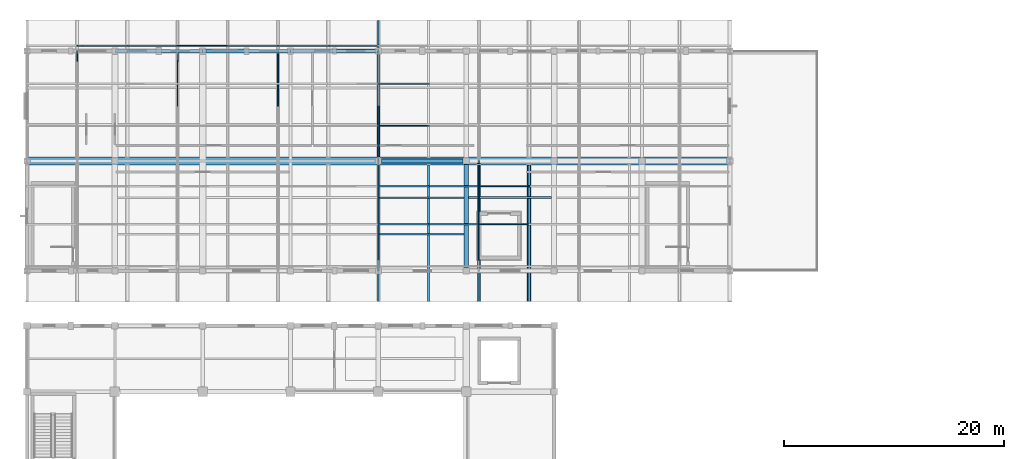
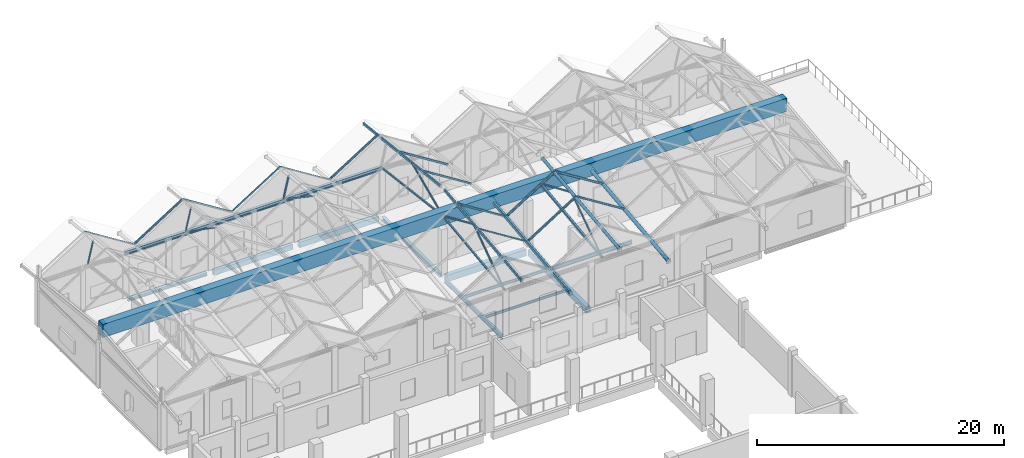
# One storey, part 65 of 183: 27 members, 19 beams.
"""IFC4 building model written with IfcOpenShell, lengths in metres."""

from ifc_helpers import new_model, si_unit, direction, frame, origin, origin_2d, place, context, subcontext, project, spatial, rectangle, hollow_rectangle, hollow_circle, i_section, extrude, material, material_profile, profile_set, type_object, element, save


model = new_model("IFC4")

# Units and contexts
model_context = context("Model", 3, precision=1e-05, world=origin(), true_north=direction((0.0, 1.0)))
body_context = subcontext(model_context, "Body", "Model", "MODEL_VIEW")
ifc_project = project(units=[si_unit("LENGTHUNIT", "METRE"), si_unit("AREAUNIT", "SQUARE_METRE"), si_unit("VOLUMEUNIT", "CUBIC_METRE"), si_unit("PLANEANGLEUNIT", "RADIAN"), si_unit("MASSUNIT", "GRAM", prefix="KILO")], contexts=[model_context])

# Site, building, storey
site_placement = place(None, origin())
site = spatial("IfcSite", under=ifc_project, at=site_placement, CompositionType="ELEMENT")
building_placement = place(site_placement, origin())
building = spatial("IfcBuilding", under=site, at=building_placement, Name="Luwemba Playhouse", CompositionType="ELEMENT")
storey_placement = place(building_placement, frame((0.0, 0.0, 4.800048828125)))
storey = spatial("IfcBuildingStorey", under=building, at=storey_placement, Name="L01", CompositionType="ELEMENT", Elevation=4.800048828125)

# Beams
ifc_material_1 = material(Name="Concrete C40/50", Category="concrete")
ifc_material_profile_1 = material_profile(ifc_material_1, rectangle(XDim=0.39990234375, YDim=0.60009765625, at=origin_2d()))
ifc_profile_set_1 = profile_set([ifc_material_profile_1], Name="Concrete C40/50")
beam_type_1 = type_object("IfcBeamType", Name="BM-RB01", PredefinedType="BEAM", material=ifc_profile_set_1)
beam_1_placement = place(storey_placement, frame((44.0, 95.300048828125, -0.550048828125), z_axis=(0.0, 1.0, 0.0), x_axis=(-1.0, 0.0, 0.0)))
element("IfcBeam", 1, at=beam_1_placement, inside=storey, type_object=beam_type_1, Name="L01 transverse girder 0594", PredefinedType="BEAM", context=body_context, shape_type="SweptSolid", body=[
    extrude(rectangle(XDim=0.39990234375, YDim=0.60009765625, at=origin_2d()), origin(), (0.0, 0.0, 1.0), 9.39990234375),
])
ifc_material_profile_2 = material_profile(ifc_material_1, rectangle(XDim=0.39990234375, YDim=0.64990234375, at=origin_2d()))
ifc_profile_set_2 = profile_set([ifc_material_profile_2], Name="Concrete C40/50")
beam_type_2 = type_object("IfcBeamType", Name="BM-RB02", PredefinedType="BEAM", material=ifc_profile_set_2)
beam_2_placement = place(storey_placement, frame((36.300048828125, 105.0, -0.574951171875), z_axis=(1.0, 0.0, 0.0), x_axis=(0.0, 1.0, 0.0)))
element("IfcBeam", 2, at=beam_2_placement, inside=storey, type_object=beam_type_2, Name="L01 grid girder 0574", PredefinedType="BEAM", context=body_context, shape_type="SweptSolid", body=[
    extrude(rectangle(XDim=0.39990234375, YDim=0.64990234375, at=origin_2d()), origin(), (0.0, 0.0, 1.0), 7.39990234375),
])
ifc_material_profile_3 = material_profile(ifc_material_1, rectangle(XDim=0.699951171875, YDim=1.300048828125, at=origin_2d()))
ifc_profile_set_3 = profile_set([ifc_material_profile_3], Name="Concrete C40/50")
beam_type_3 = type_object("IfcBeamType", Name="BM-RB12", PredefinedType="BEAM", material=ifc_profile_set_3)
beam_3_placement = place(storey_placement, frame((4.0, 105.0, 5.6416015625), z_axis=(1.0, 0.0, 0.0), x_axis=(0.0, 1.0, 0.0)))
element("IfcBeam", 3, at=beam_3_placement, inside=storey, type_object=beam_type_3, Name="RF-V6W central ridge spine girder 0364", PredefinedType="BEAM", context=body_context, shape_type="SweptSolid", body=[
    extrude(rectangle(XDim=0.699951171875, YDim=1.300048828125, at=origin_2d()), origin(), (0.0, 0.0, 1.0), 64.0),
])
ifc_material_2 = material(Name="Steel S355", Category="steel")
ifc_material_profile_4 = material_profile(ifc_material_2, hollow_rectangle(XDim=0.14990234375, YDim=0.25, WallThickness=0.010009765625, InnerFilletRadius=0.014892578125, OuterFilletRadius=0.02490234375, at=origin_2d()))
ifc_profile_set_4 = profile_set([ifc_material_profile_4], Name="Steel S355")
beam_type_4 = type_object("IfcBeamType", Name="BM-RTG1", PredefinedType="USERDEFINED", material=ifc_profile_set_4)
for number, where, z_axis, x_axis, name in (
    (4, (36.0, 92.199951171875, 6.983154296875), (0.0, 0.993767931543, 0.111468821814), (-1.0, 0.0, 0.0), "ROOF TRUSS ridge girder 0379"),
    (5, (36.0, 105.35009765625, 8.379638671875), (0.0, 0.993767931543, -0.111468821814), (-1.0, 0.0, 0.0), "ROOF TRUSS ridge girder 0380"),
):
    element("IfcBeam", number, at=place(storey_placement, frame(where, z_axis=z_axis, x_axis=x_axis)), inside=storey, type_object=beam_type_4, Name=name, ObjectType="ROOF TRUSS", PredefinedType="USERDEFINED", context=body_context, shape_type="SweptSolid", body=[
        extrude(hollow_rectangle(XDim=0.14990234375, YDim=0.25, WallThickness=0.010009765625, InnerFilletRadius=0.014892578125, OuterFilletRadius=0.02490234375, at=origin_2d()), origin(), (0.0, 0.0, 1.0), 12.528076171875),
    ])
ifc_material_profile_5 = material_profile(ifc_material_2, hollow_rectangle(XDim=0.199951171875, YDim=0.300048828125, WallThickness=0.012451171875, InnerFilletRadius=0.018798828125, OuterFilletRadius=0.03125, at=origin_2d()))
ifc_profile_set_5 = profile_set([ifc_material_profile_5], Name="Steel S355")
beam_type_5 = type_object("IfcBeamType", Name="BM-RTG2", PredefinedType="USERDEFINED", material=ifc_profile_set_5)
beam_4_placement = place(storey_placement, frame((40.5712890625, 92.199951171875, 4.162109375), z_axis=(0.0, 0.993767931543, 0.111468821814), x_axis=(-1.0, 0.0, 0.0)))
element("IfcBeam", 6, at=beam_4_placement, inside=storey, type_object=beam_type_5, Name="ROOF TRUSS valley girder 0381", ObjectType="ROOF TRUSS", PredefinedType="USERDEFINED", context=body_context, shape_type="SweptSolid", body=[
    extrude(hollow_rectangle(XDim=0.199951171875, YDim=0.300048828125, WallThickness=0.012451171875, InnerFilletRadius=0.018798828125, OuterFilletRadius=0.03125, at=origin_2d()), origin(), (0.0, 0.0, 1.0), 12.528076171875),
])
ifc_material_profile_6 = material_profile(ifc_material_2, hollow_circle(Radius=0.136474609375, WallThickness=0.012451171875, at=origin_2d()))
ifc_profile_set_6 = profile_set([ifc_material_profile_6], Name="Steel S355")
beam_type_6 = type_object("IfcBeamType", Name="BM-RTG3", PredefinedType="USERDEFINED", material=ifc_profile_set_6)
beam_5_placement = place(storey_placement, frame((45.142822265625, 92.199951171875, 6.932861328125), z_axis=(0.0, 0.993767931543, 0.111468821814), x_axis=(-1.0, 0.0, 0.0)))
element("IfcBeam", 7, at=beam_5_placement, inside=storey, type_object=beam_type_6, Name="ROOF TRUSS ridge girder 0383", ObjectType="ROOF TRUSS", PredefinedType="USERDEFINED", context=body_context, shape_type="SweptSolid", body=[
    extrude(hollow_circle(Radius=0.136474609375, WallThickness=0.012451171875, at=origin_2d()), origin(), (0.0, 0.0, 1.0), 12.528076171875),
])
ifc_material_profile_7 = material_profile(ifc_material_2, hollow_circle(Radius=0.161865234375, WallThickness=0.01611328125, at=origin_2d()))
ifc_profile_set_7 = profile_set([ifc_material_profile_7], Name="Steel S355")
beam_type_7 = type_object("IfcBeamType", Name="BM-RTG4", PredefinedType="USERDEFINED", material=ifc_profile_set_7)
beam_6_placement = place(storey_placement, frame((49.71435546875, 92.199951171875, 4.150146484375), z_axis=(0.0, 0.993767931543, 0.111468821814), x_axis=(-1.0, 0.0, 0.0)))
element("IfcBeam", 8, at=beam_6_placement, inside=storey, type_object=beam_type_7, Name="ROOF TRUSS valley girder 0385", ObjectType="ROOF TRUSS", PredefinedType="USERDEFINED", context=body_context, shape_type="SweptSolid", body=[
    extrude(hollow_circle(Radius=0.161865234375, WallThickness=0.01611328125, at=origin_2d()), origin(), (0.0, 0.0, 1.0), 12.528076171875),
])
ifc_material_profile_8 = material_profile(ifc_material_2, i_section(OverallWidth=0.18994140625, OverallDepth=0.449951171875, WebThickness=0.009521484375, FlangeThickness=0.0146484375, FilletRadius=0.02099609375, at=origin_2d()))
ifc_profile_set_8 = profile_set([ifc_material_profile_8], Name="Steel S355")
beam_type_8 = type_object("IfcBeamType", Name="BM-SB06", PredefinedType="BEAM", material=ifc_profile_set_8)
beam_7_placement = place(storey_placement, frame((36.0, 95.300048828125, -0.47509765625), z_axis=(0.0, 1.0, 0.0), x_axis=(-1.0, 0.0, 0.0)))
element("IfcBeam", 9, at=beam_7_placement, inside=storey, type_object=beam_type_8, Name="L01 transverse girder 0592", PredefinedType="BEAM", context=body_context, shape_type="SweptSolid", body=[
    extrude(i_section(OverallWidth=0.18994140625, OverallDepth=0.449951171875, WebThickness=0.009521484375, FlangeThickness=0.0146484375, FilletRadius=0.02099609375, at=origin_2d()), origin(), (0.0, 0.0, 1.0), 9.39990234375),
])
ifc_material_profile_9 = material_profile(ifc_material_2, i_section(OverallWidth=0.300048828125, OverallDepth=0.360107421875, WebThickness=0.012451171875, FlangeThickness=0.0224609375, FilletRadius=0.027099609375, at=origin_2d()))
ifc_profile_set_9 = profile_set([ifc_material_profile_9], Name="Steel S355")
beam_type_9 = type_object("IfcBeamType", Name="BM-SB09", PredefinedType="BEAM", material=ifc_profile_set_9)
beam_8_placement = place(storey_placement, frame((36.0, 105.300048828125, -0.429931640625), z_axis=(0.0, 1.0, 0.0), x_axis=(-1.0, 0.0, 0.0)))
element("IfcBeam", 10, at=beam_8_placement, inside=storey, type_object=beam_type_9, Name="L01 transverse girder 0593", PredefinedType="BEAM", context=body_context, shape_type="SweptSolid", body=[
    extrude(i_section(OverallWidth=0.300048828125, OverallDepth=0.360107421875, WebThickness=0.012451171875, FlangeThickness=0.0224609375, FilletRadius=0.027099609375, at=origin_2d()), origin(), (0.0, 0.0, 1.0), 9.39990234375),
])
for number, where, z_axis, x_axis, name in (
    (11, (12.0, 115.0, 4.320068359375), (1.0, 0.0, 0.0), (0.0, 1.0, 0.0), "RF-V6W eave ring beam 0351"),
    (12, (20.0, 115.0, 4.320068359375), (1.0, 0.0, 0.0), (0.0, 1.0, 0.0), "RF-V6W eave ring beam 0352"),
    (13, (28.0, 115.0, 4.320068359375), (1.0, 0.0, 0.0), (0.0, 1.0, 0.0), "RF-V6W eave ring beam 0353"),
):
    element("IfcBeam", number, at=place(storey_placement, frame(where, z_axis=z_axis, x_axis=x_axis)), inside=storey, type_object=beam_type_9, Name=name, PredefinedType="BEAM", context=body_context, shape_type="SweptSolid", body=[
        extrude(i_section(OverallWidth=0.300048828125, OverallDepth=0.360107421875, WebThickness=0.012451171875, FlangeThickness=0.0224609375, FilletRadius=0.027099609375, at=origin_2d()), origin(), (0.0, 0.0, 1.0), 8.0),
    ])
ifc_material_profile_10 = material_profile(ifc_material_2, i_section(OverallWidth=0.1201171875, OverallDepth=0.239990234375, WebThickness=0.006103515625, FlangeThickness=0.009765625, FilletRadius=0.014892578125, at=origin_2d()))
ifc_profile_set_10 = profile_set([ifc_material_profile_10], Name="Steel S355")
beam_type_10 = type_object("IfcBeamType", Name="BM-SJ03", PredefinedType="JOIST", material=ifc_profile_set_10)
beam_9_placement = place(storey_placement, frame((36.091064453125, 98.333251953125, -0.3701171875), z_axis=(1.0, 0.0, 0.0), x_axis=(0.0, 1.0, 0.0)))
element("IfcBeam", 14, at=beam_9_placement, inside=storey, type_object=beam_type_10, Name="L01 composite floor joist 0352", PredefinedType="JOIST", context=body_context, shape_type="SweptSolid", body=[
    extrude(i_section(OverallWidth=0.1201171875, OverallDepth=0.239990234375, WebThickness=0.006103515625, FlangeThickness=0.009765625, FilletRadius=0.014892578125, at=origin_2d()), origin(), (0.0, 0.0, 1.0), 7.712890625),
])
ifc_material_profile_11 = material_profile(ifc_material_2, i_section(OverallWidth=0.135009765625, OverallDepth=0.27001953125, WebThickness=0.006591796875, FlangeThickness=0.01025390625, FilletRadius=0.014892578125, at=origin_2d()))
ifc_profile_set_11 = profile_set([ifc_material_profile_11], Name="Steel S355")
beam_type_11 = type_object("IfcBeamType", Name="BM-SJ04", PredefinedType="JOIST", material=ifc_profile_set_11)
beam_10_placement = place(storey_placement, frame((36.091064453125, 101.666748046875, -0.385009765625), z_axis=(1.0, 0.0, 0.0), x_axis=(0.0, 1.0, 0.0)))
element("IfcBeam", 15, at=beam_10_placement, inside=storey, type_object=beam_type_11, Name="L01 composite floor joist 0353", PredefinedType="JOIST", context=body_context, shape_type="SweptSolid", body=[
    extrude(i_section(OverallWidth=0.135009765625, OverallDepth=0.27001953125, WebThickness=0.006591796875, FlangeThickness=0.01025390625, FilletRadius=0.014892578125, at=origin_2d()), origin(), (0.0, 0.0, 1.0), 7.712890625),
])
ifc_material_profile_12 = material_profile(ifc_material_2, i_section(OverallWidth=0.169921875, OverallDepth=0.360107421875, WebThickness=0.008056640625, FlangeThickness=0.0126953125, FilletRadius=0.01806640625, at=origin_2d()))
ifc_profile_set_12 = profile_set([ifc_material_profile_12], Name="Steel S355")
beam_type_12 = type_object("IfcBeamType", Name="BM-SJ07", PredefinedType="JOIST", material=ifc_profile_set_12)
beam_11_placement = place(storey_placement, frame((44.196044921875, 101.666748046875, -0.429931640625), z_axis=(1.0, 0.0, 0.0), x_axis=(0.0, 1.0, 0.0)))
element("IfcBeam", 16, at=beam_11_placement, inside=storey, type_object=beam_type_12, Name="L01 composite floor joist 0356", PredefinedType="JOIST", context=body_context, shape_type="SweptSolid", body=[
    extrude(i_section(OverallWidth=0.169921875, OverallDepth=0.360107421875, WebThickness=0.008056640625, FlangeThickness=0.0126953125, FilletRadius=0.01806640625, at=origin_2d()), origin(), (0.0, 0.0, 1.0), 7.5830078125),
])
ifc_material_profile_13 = material_profile(ifc_material_1, rectangle(XDim=0.300048828125, YDim=0.5, at=origin_2d()))
ifc_profile_set_13 = profile_set([ifc_material_profile_13], Name="Concrete C40/50")
beam_type_13 = type_object("IfcBeamType", Name="BM-SP1", PredefinedType="SPANDREL", material=ifc_profile_set_13)
beam_12_placement = place(storey_placement, frame((20.300048828125, 115.0, -0.5), z_axis=(1.0, 0.0, 0.0), x_axis=(0.0, 1.0, 0.0)))
element("IfcBeam", 17, at=beam_12_placement, inside=storey, type_object=beam_type_13, Name="L01 grid girder 0580", PredefinedType="SPANDREL", context=body_context, shape_type="SweptSolid", body=[
    extrude(rectangle(XDim=0.300048828125, YDim=0.5, at=origin_2d()), origin(), (0.0, 0.0, 1.0), 7.39990234375),
])
ifc_material_profile_14 = material_profile(ifc_material_1, rectangle(XDim=0.35009765625, YDim=0.550048828125, at=origin_2d()))
ifc_profile_set_14 = profile_set([ifc_material_profile_14], Name="Concrete C40/50")
beam_type_14 = type_object("IfcBeamType", Name="BM-SP2", PredefinedType="SPANDREL", material=ifc_profile_set_14)
beam_13_placement = place(storey_placement, frame((28.300048828125, 115.0, -0.525146484375), z_axis=(1.0, 0.0, 0.0), x_axis=(0.0, 1.0, 0.0)))
element("IfcBeam", 18, at=beam_13_placement, inside=storey, type_object=beam_type_14, Name="L01 grid girder 0581", PredefinedType="SPANDREL", context=body_context, shape_type="SweptSolid", body=[
    extrude(rectangle(XDim=0.35009765625, YDim=0.550048828125, at=origin_2d()), origin(), (0.0, 0.0, 1.0), 7.39990234375),
])
ifc_material_profile_15 = material_profile(ifc_material_2, i_section(OverallWidth=0.300048828125, OverallDepth=0.300048828125, WebThickness=0.010986328125, FlangeThickness=0.01904296875, FilletRadius=0.027099609375, at=origin_2d()))
ifc_profile_set_15 = profile_set([ifc_material_profile_15], Name="Steel S355")
beam_type_15 = type_object("IfcBeamType", Name="BM-SSP1", PredefinedType="SPANDREL", material=ifc_profile_set_15)
beam_14_placement = place(storey_placement, frame((12.300048828125, 115.0, -0.400146484375), z_axis=(1.0, 0.0, 0.0), x_axis=(0.0, 1.0, 0.0)))
element("IfcBeam", 19, at=beam_14_placement, inside=storey, type_object=beam_type_15, Name="L01 grid girder 0579", PredefinedType="SPANDREL", context=body_context, shape_type="SweptSolid", body=[
    extrude(i_section(OverallWidth=0.300048828125, OverallDepth=0.300048828125, WebThickness=0.010986328125, FlangeThickness=0.01904296875, FilletRadius=0.027099609375, at=origin_2d()), origin(), (0.0, 0.0, 1.0), 7.39990234375),
])

# Members
ifc_material_profile_16 = material_profile(ifc_material_2, hollow_circle(Radius=0.06982421875, WallThickness=0.008056640625, at=origin_2d()))
ifc_profile_set_16 = profile_set([ifc_material_profile_16], Name="Steel S355")
member_type_1 = type_object("IfcMemberType", Name="MEM-MB01", PredefinedType="BRACE", material=ifc_profile_set_16)
member_1_placement = place(storey_placement, frame((8.5712890625, 115.0, 4.39990234375), z_axis=(0.0, -0.291958934331, 0.95643085514), x_axis=(1.0, 0.0, 0.0)))
element("IfcMember", 20, at=member_1_placement, inside=storey, type_object=member_type_1, Name="ROOF TRUSS eave knee strut 0087", PredefinedType="BRACE", context=body_context, shape_type="SweptSolid", body=[
    extrude(hollow_circle(Radius=0.06982421875, WallThickness=0.008056640625, at=origin_2d()), origin(), (0.0, 0.0, 1.0), 3.082275390625),
])
ifc_material_profile_17 = material_profile(ifc_material_2, hollow_circle(Radius=0.084228515625, WallThickness=0.008056640625, at=origin_2d()))
ifc_profile_set_17 = profile_set([ifc_material_profile_17], Name="Steel S355")
member_type_2 = type_object("IfcMemberType", Name="MEM-MB02", PredefinedType="BRACE", material=ifc_profile_set_17)
member_2_placement = place(storey_placement, frame((36.0, 95.0, 4.39990234375), z_axis=(0.0, 0.822463896527, 0.568817315938), x_axis=(-1.0, 0.0, 0.0)))
element("IfcMember", 21, at=member_2_placement, inside=storey, type_object=member_type_2, Name="ROOF TRUSS web diagonal 0327", PredefinedType="BRACE", context=body_context, shape_type="SweptSolid", body=[
    extrude(hollow_circle(Radius=0.084228515625, WallThickness=0.008056640625, at=origin_2d()), origin(), (0.0, 0.0, 1.0), 6.079345703125),
])
for number, where, z_axis, x_axis, name in (
    (22, (36.0, 105.0, 5.6416015625), (0.0, -0.914212395847, 0.405235357885), (1.0, 0.0, 0.0), "ROOF TRUSS web diagonal 0328"),
    (23, (36.0, 105.0, 5.6416015625), (0.0, 0.914212395847, 0.405235357885), (-1.0, 0.0, 0.0), "ROOF TRUSS web diagonal 0329"),
):
    element("IfcMember", number, at=place(storey_placement, frame(where, z_axis=z_axis, x_axis=x_axis)), inside=storey, type_object=member_type_2, Name=name, PredefinedType="BRACE", context=body_context, shape_type="SweptSolid", body=[
        extrude(hollow_circle(Radius=0.084228515625, WallThickness=0.008056640625, at=origin_2d()), origin(), (0.0, 0.0, 1.0), 5.46923828125),
    ])
ifc_material_profile_18 = material_profile(ifc_material_2, hollow_rectangle(XDim=0.10009765625, YDim=0.10009765625, WallThickness=0.00634765625, InnerFilletRadius=0.009521484375, OuterFilletRadius=0.015869140625, at=origin_2d()))
ifc_profile_set_18 = profile_set([ifc_material_profile_18], Name="Steel S355")
member_type_3 = type_object("IfcMemberType", Name="MEM-MB05", PredefinedType="BRACE", material=ifc_profile_set_18)
member_3_placement = place(storey_placement, frame((17.71435546875, 115.0, 4.39990234375), z_axis=(0.0, -0.822463896527, 0.568817315938), x_axis=(1.0, 0.0, 0.0)))
element("IfcMember", 24, at=member_3_placement, inside=storey, type_object=member_type_3, Name="ROOF TRUSS web diagonal 0318", PredefinedType="BRACE", context=body_context, shape_type="SweptSolid", body=[
    extrude(hollow_rectangle(XDim=0.10009765625, YDim=0.10009765625, WallThickness=0.00634765625, InnerFilletRadius=0.009521484375, OuterFilletRadius=0.015869140625, at=origin_2d()), origin(), (0.0, 0.0, 1.0), 6.079345703125),
])
member_4_placement = place(storey_placement, frame((17.71435546875, 115.0, 4.39990234375), z_axis=(0.0, -0.287490993159, 0.95778334129), x_axis=(1.0, 0.0, 0.0)))
element("IfcMember", 25, at=member_4_placement, inside=storey, type_object=member_type_3, Name="ROOF TRUSS eave knee strut 0089", PredefinedType="BRACE", context=body_context, shape_type="SweptSolid", body=[
    extrude(hollow_rectangle(XDim=0.10009765625, YDim=0.10009765625, WallThickness=0.00634765625, InnerFilletRadius=0.009521484375, OuterFilletRadius=0.015869140625, at=origin_2d()), origin(), (0.0, 0.0, 1.0), 3.130126953125),
])
ifc_material_profile_19 = material_profile(ifc_material_2, hollow_rectangle(XDim=0.1201171875, YDim=0.1201171875, WallThickness=0.008056640625, InnerFilletRadius=0.011962890625, OuterFilletRadius=0.02001953125, at=origin_2d()))
ifc_profile_set_19 = profile_set([ifc_material_profile_19], Name="Steel S355")
member_type_4 = type_object("IfcMemberType", Name="MEM-MB06", PredefinedType="BRACE", material=ifc_profile_set_19)
member_5_placement = place(storey_placement, frame((45.142822265625, 95.0, 4.39990234375), z_axis=(0.0, 0.826314401339, 0.563209117593), x_axis=(-1.0, 0.0, 0.0)))
element("IfcMember", 26, at=member_5_placement, inside=storey, type_object=member_type_4, Name="ROOF TRUSS web diagonal 0333", PredefinedType="BRACE", context=body_context, shape_type="SweptSolid", body=[
    extrude(hollow_rectangle(XDim=0.1201171875, YDim=0.1201171875, WallThickness=0.008056640625, InnerFilletRadius=0.011962890625, OuterFilletRadius=0.02001953125, at=origin_2d()), origin(), (0.0, 0.0, 1.0), 6.051025390625),
])
member_6_placement = place(storey_placement, frame((45.142822265625, 105.0, 5.6416015625), z_axis=(0.0, -0.917582865909, 0.397544568809), x_axis=(1.0, 0.0, 0.0)))
element("IfcMember", 27, at=member_6_placement, inside=storey, type_object=member_type_4, Name="ROOF TRUSS web diagonal 0334", PredefinedType="BRACE", context=body_context, shape_type="SweptSolid", body=[
    extrude(hollow_rectangle(XDim=0.1201171875, YDim=0.1201171875, WallThickness=0.008056640625, InnerFilletRadius=0.011962890625, OuterFilletRadius=0.02001953125, at=origin_2d()), origin(), (0.0, 0.0, 1.0), 5.44921875),
])
ifc_material_profile_20 = material_profile(ifc_material_2, hollow_rectangle(XDim=0.139892578125, YDim=0.139892578125, WallThickness=0.008056640625, InnerFilletRadius=0.011962890625, OuterFilletRadius=0.02001953125, at=origin_2d()))
ifc_profile_set_20 = profile_set([ifc_material_profile_20], Name="Steel S355")
member_type_5 = type_object("IfcMemberType", Name="MEM-MB07", PredefinedType="BRACE", material=ifc_profile_set_20)
member_7_placement = place(storey_placement, frame((26.857177734375, 115.0, 4.39990234375), z_axis=(0.0, -0.826314401339, 0.563209117593), x_axis=(1.0, 0.0, 0.0)))
element("IfcMember", 28, at=member_7_placement, inside=storey, type_object=member_type_5, Name="ROOF TRUSS web diagonal 0324", PredefinedType="BRACE", context=body_context, shape_type="SweptSolid", body=[
    extrude(hollow_rectangle(XDim=0.139892578125, YDim=0.139892578125, WallThickness=0.008056640625, InnerFilletRadius=0.011962890625, OuterFilletRadius=0.02001953125, at=origin_2d()), origin(), (0.0, 0.0, 1.0), 6.051025390625),
])
member_8_placement = place(storey_placement, frame((26.857177734375, 115.0, 4.39990234375), z_axis=(0.0, -0.291958934331, 0.95643085514), x_axis=(1.0, 0.0, 0.0)))
element("IfcMember", 29, at=member_8_placement, inside=storey, type_object=member_type_5, Name="ROOF TRUSS eave knee strut 0091", PredefinedType="BRACE", context=body_context, shape_type="SweptSolid", body=[
    extrude(hollow_rectangle(XDim=0.139892578125, YDim=0.139892578125, WallThickness=0.008056640625, InnerFilletRadius=0.011962890625, OuterFilletRadius=0.02001953125, at=origin_2d()), origin(), (0.0, 0.0, 1.0), 3.082275390625),
])
ifc_material_profile_21 = material_profile(ifc_material_2, hollow_rectangle(XDim=0.14990234375, YDim=0.14990234375, WallThickness=0.010009765625, InnerFilletRadius=0.014892578125, OuterFilletRadius=0.02490234375, at=origin_2d()))
ifc_profile_set_21 = profile_set([ifc_material_profile_21], Name="Steel S355")
member_type_6 = type_object("IfcMemberType", Name="MEM-MC02", PredefinedType="CHORD", material=ifc_profile_set_21)
for number, where, z_axis, x_axis, name in (
    (30, (36.0, 95.0, 4.39990234375), (0.0, 0.992378930096, 0.12322361422), (-1.0, 0.0, 0.0), "ROOF TRUSS south bottom chord 0325"),
    (31, (36.0, 105.0, 5.6416015625), (0.0, 0.992378930096, -0.12322361422), (-1.0, 0.0, 0.0), "ROOF TRUSS north bottom chord 0326"),
):
    element("IfcMember", number, at=place(storey_placement, frame(where, z_axis=z_axis, x_axis=x_axis)), inside=storey, type_object=member_type_6, Name=name, PredefinedType="CHORD", context=body_context, shape_type="SweptSolid", body=[
        extrude(hollow_rectangle(XDim=0.14990234375, YDim=0.14990234375, WallThickness=0.010009765625, InnerFilletRadius=0.014892578125, OuterFilletRadius=0.02490234375, at=origin_2d()), origin(), (0.0, 0.0, 1.0), 10.076904296875),
    ])
ifc_material_profile_22 = material_profile(ifc_material_2, hollow_rectangle(XDim=0.199951171875, YDim=0.199951171875, WallThickness=0.012451171875, InnerFilletRadius=0.018798828125, OuterFilletRadius=0.03125, at=origin_2d()))
ifc_profile_set_22 = profile_set([ifc_material_profile_22], Name="Steel S355")
member_type_7 = type_object("IfcMemberType", Name="MEM-MC04", PredefinedType="CHORD", material=ifc_profile_set_22)
member_9_placement = place(storey_placement, frame((45.142822265625, 95.0, 4.39990234375), z_axis=(0.0, 0.992378930096, 0.12322361422), x_axis=(-1.0, 0.0, 0.0)))
element("IfcMember", 32, at=member_9_placement, inside=storey, type_object=member_type_7, Name="ROOF TRUSS south bottom chord 0331", PredefinedType="CHORD", context=body_context, shape_type="SweptSolid", body=[
    extrude(hollow_rectangle(XDim=0.199951171875, YDim=0.199951171875, WallThickness=0.012451171875, InnerFilletRadius=0.018798828125, OuterFilletRadius=0.03125, at=origin_2d()), origin(), (0.0, 0.0, 1.0), 10.076904296875),
])
ifc_material_profile_23 = material_profile(ifc_material_2, hollow_rectangle(XDim=0.080078125, YDim=0.1201171875, WallThickness=0.00634765625, InnerFilletRadius=0.009521484375, OuterFilletRadius=0.015869140625, at=origin_2d()))
ifc_profile_set_23 = profile_set([ifc_material_profile_23], Name="Steel S355")
member_type_8 = type_object("IfcMemberType", Name="MEM-MP01", PredefinedType="PURLIN", material=ifc_profile_set_23)
for number, where, z_axis, x_axis, name in (
    (33, (8.5712890625, 115.49609375, 7.342529296875), (0.846249443207, 0.0, -0.532786899117), (0.0, 1.0, 0.0), "Pleated roof purlin 0624"),
    (34, (26.857177734375, 115.49609375, 7.342529296875), (0.846249443207, 0.0, -0.532786899117), (0.0, 1.0, 0.0), "Pleated roof purlin 0648"),
):
    element("IfcMember", number, at=place(storey_placement, frame(where, z_axis=z_axis, x_axis=x_axis)), inside=storey, type_object=member_type_8, Name=name, PredefinedType="PURLIN", context=body_context, shape_type="SweptSolid", body=[
        extrude(hollow_rectangle(XDim=0.080078125, YDim=0.1201171875, WallThickness=0.00634765625, InnerFilletRadius=0.009521484375, OuterFilletRadius=0.015869140625, at=origin_2d()), origin(), (0.0, 0.0, 1.0), 5.402099609375),
    ])
member_10_placement = place(storey_placement, frame((36.0, 99.239990234375, 7.873779296875), z_axis=(0.846236613742, 0.0, -0.532807276191), x_axis=(0.0, 1.0, 0.0)))
element("IfcMember", 35, at=member_10_placement, inside=storey, type_object=member_type_8, Name="Pleated roof purlin 0656", PredefinedType="PURLIN", context=body_context, shape_type="SweptSolid", body=[
    extrude(hollow_rectangle(XDim=0.080078125, YDim=0.1201171875, WallThickness=0.00634765625, InnerFilletRadius=0.009521484375, OuterFilletRadius=0.015869140625, at=origin_2d()), origin(), (0.0, 0.0, 1.0), 5.40185546875),
])
ifc_material_profile_24 = material_profile(ifc_material_2, hollow_rectangle(XDim=0.10009765625, YDim=0.14990234375, WallThickness=0.008056640625, InnerFilletRadius=0.011962890625, OuterFilletRadius=0.02001953125, at=origin_2d()))
ifc_profile_set_24 = profile_set([ifc_material_profile_24], Name="Steel S355")
member_type_9 = type_object("IfcMemberType", Name="MEM-MP02", PredefinedType="PURLIN", material=ifc_profile_set_24)
member_11_placement = place(storey_placement, frame((36.0, 102.696044921875, 8.261474609375), z_axis=(0.846236613742, 0.0, -0.532807276191), x_axis=(0.0, 1.0, 0.0)))
element("IfcMember", 36, at=member_11_placement, inside=storey, type_object=member_type_9, Name="Pleated roof purlin 0657", PredefinedType="PURLIN", context=body_context, shape_type="SweptSolid", body=[
    extrude(hollow_rectangle(XDim=0.10009765625, YDim=0.14990234375, WallThickness=0.008056640625, InnerFilletRadius=0.011962890625, OuterFilletRadius=0.02001953125, at=origin_2d()), origin(), (0.0, 0.0, 1.0), 5.40185546875),
])
ifc_material_profile_25 = material_profile(ifc_material_2, hollow_rectangle(XDim=0.080078125, YDim=0.159912109375, WallThickness=0.00634765625, InnerFilletRadius=0.009521484375, OuterFilletRadius=0.015869140625, at=origin_2d()))
ifc_profile_set_25 = profile_set([ifc_material_profile_25], Name="Steel S355")
member_type_10 = type_object("IfcMemberType", Name="MEM-MP03", PredefinedType="PURLIN", material=ifc_profile_set_25)
for number, where, z_axis, x_axis, name in (
    (37, (22.28564453125, 115.49609375, 4.46435546875), (0.846249443207, 0.0, 0.532786899117), (0.0, 1.0, 0.0), "Pleated roof purlin 0642"),
    (38, (36.0, 108.199951171875, 8.1611328125), (0.846216235915, 0.0, -0.532839640111), (0.0, 1.0, 0.0), "Pleated roof purlin 0658"),
):
    element("IfcMember", number, at=place(storey_placement, frame(where, z_axis=z_axis, x_axis=x_axis)), inside=storey, type_object=member_type_10, Name=name, PredefinedType="PURLIN", context=body_context, shape_type="SweptSolid", body=[
        extrude(hollow_rectangle(XDim=0.080078125, YDim=0.159912109375, WallThickness=0.00634765625, InnerFilletRadius=0.009521484375, OuterFilletRadius=0.015869140625, at=origin_2d()), origin(), (0.0, 0.0, 1.0), 5.402099609375),
    ])
ifc_material_profile_26 = material_profile(ifc_material_2, hollow_rectangle(XDim=0.10009765625, YDim=0.179931640625, WallThickness=0.008056640625, InnerFilletRadius=0.011962890625, OuterFilletRadius=0.02001953125, at=origin_2d()))
ifc_profile_set_26 = profile_set([ifc_material_profile_26], Name="Steel S355")
member_type_11 = type_object("IfcMemberType", Name="MEM-MP04", PredefinedType="PURLIN", material=ifc_profile_set_26)
member_12_placement = place(storey_placement, frame((36.0, 112.0400390625, 7.72021484375), z_axis=(0.846216235915, 0.0, -0.532839640111), x_axis=(0.0, 1.0, 0.0)))
element("IfcMember", 39, at=member_12_placement, inside=storey, type_object=member_type_11, Name="Pleated roof purlin 0659", PredefinedType="PURLIN", context=body_context, shape_type="SweptSolid", body=[
    extrude(hollow_rectangle(XDim=0.10009765625, YDim=0.179931640625, WallThickness=0.008056640625, InnerFilletRadius=0.011962890625, OuterFilletRadius=0.02001953125, at=origin_2d()), origin(), (0.0, 0.0, 1.0), 5.402099609375),
])
ifc_material_profile_27 = material_profile(ifc_material_2, i_section(OverallWidth=0.08203125, OverallDepth=0.159912109375, WebThickness=0.0048828125, FlangeThickness=0.00732421875, FilletRadius=0.009033203125, at=origin_2d()))
ifc_profile_set_27 = profile_set([ifc_material_profile_27], Name="Steel S355")
member_type_12 = type_object("IfcMemberType", Name="MEM-MP05", PredefinedType="PURLIN", material=ifc_profile_set_27)
member_13_placement = place(storey_placement, frame((17.71435546875, 115.49609375, 7.342529296875), z_axis=(0.846236613742, 0.0, -0.532807276191), x_axis=(0.0, 1.0, 0.0)))
element("IfcMember", 40, at=member_13_placement, inside=storey, type_object=member_type_12, Name="Pleated roof purlin 0636", PredefinedType="PURLIN", context=body_context, shape_type="SweptSolid", body=[
    extrude(i_section(OverallWidth=0.08203125, OverallDepth=0.159912109375, WebThickness=0.0048828125, FlangeThickness=0.00732421875, FilletRadius=0.009033203125, at=origin_2d()), origin(), (0.0, 0.0, 1.0), 5.40185546875),
])
member_14_placement = place(storey_placement, frame((45.142822265625, 99.239990234375, 7.873779296875), z_axis=(0.846249443207, 0.0, -0.532786899117), x_axis=(0.0, 1.0, 0.0)))
element("IfcMember", 41, at=member_14_placement, inside=storey, type_object=member_type_12, Name="Pleated roof purlin 0668", PredefinedType="PURLIN", context=body_context, shape_type="SweptSolid", body=[
    extrude(i_section(OverallWidth=0.08203125, OverallDepth=0.159912109375, WebThickness=0.0048828125, FlangeThickness=0.00732421875, FilletRadius=0.009033203125, at=origin_2d()), origin(), (0.0, 0.0, 1.0), 5.402099609375),
])
ifc_material_profile_28 = material_profile(ifc_material_2, i_section(OverallWidth=0.091064453125, OverallDepth=0.179931640625, WebThickness=0.00537109375, FlangeThickness=0.008056640625, FilletRadius=0.009033203125, at=origin_2d()))
ifc_profile_set_28 = profile_set([ifc_material_profile_28], Name="Steel S355")
member_type_13 = type_object("IfcMemberType", Name="MEM-MP06", PredefinedType="PURLIN", material=ifc_profile_set_28)
member_15_placement = place(storey_placement, frame((45.142822265625, 102.696044921875, 8.254150390625), z_axis=(0.84622906663, 0.0, -0.532819262781), x_axis=(0.0, 1.0, 0.0)))
element("IfcMember", 42, at=member_15_placement, inside=storey, type_object=member_type_13, Name="Pleated roof purlin 0669", PredefinedType="PURLIN", context=body_context, shape_type="SweptSolid", body=[
    extrude(i_section(OverallWidth=0.091064453125, OverallDepth=0.179931640625, WebThickness=0.00537109375, FlangeThickness=0.008056640625, FilletRadius=0.009033203125, at=origin_2d()), origin(), (0.0, 0.0, 1.0), 5.40234375),
])
ifc_material_profile_29 = material_profile(ifc_material_2, i_section(OverallWidth=0.10009765625, OverallDepth=0.199951171875, WebThickness=0.005615234375, FlangeThickness=0.008544921875, FilletRadius=0.011962890625, at=origin_2d()))
ifc_profile_set_29 = profile_set([ifc_material_profile_29], Name="Steel S355")
member_type_14 = type_object("IfcMemberType", Name="MEM-MP07", PredefinedType="PURLIN", material=ifc_profile_set_29)
member_16_placement = place(storey_placement, frame((13.142822265625, 115.49609375, 4.444091796875), z_axis=(0.84622906663, 0.0, 0.532819262781), x_axis=(0.0, 1.0, 0.0)))
element("IfcMember", 43, at=member_16_placement, inside=storey, type_object=member_type_14, Name="Pleated roof purlin 0630", PredefinedType="PURLIN", context=body_context, shape_type="SweptSolid", body=[
    extrude(i_section(OverallWidth=0.10009765625, OverallDepth=0.199951171875, WebThickness=0.005615234375, FlangeThickness=0.008544921875, FilletRadius=0.011962890625, at=origin_2d()), origin(), (0.0, 0.0, 1.0), 5.40234375),
])
member_17_placement = place(storey_placement, frame((31.4287109375, 115.49609375, 4.444091796875), z_axis=(0.846216235915, 0.0, 0.532839640111), x_axis=(0.0, 1.0, 0.0)))
element("IfcMember", 44, at=member_17_placement, inside=storey, type_object=member_type_14, Name="Pleated roof purlin 0654", PredefinedType="PURLIN", context=body_context, shape_type="SweptSolid", body=[
    extrude(i_section(OverallWidth=0.10009765625, OverallDepth=0.199951171875, WebThickness=0.005615234375, FlangeThickness=0.008544921875, FilletRadius=0.011962890625, at=origin_2d()), origin(), (0.0, 0.0, 1.0), 5.402099609375),
])
member_18_placement = place(storey_placement, frame((40.5712890625, 99.239990234375, 4.975341796875), z_axis=(0.84622906663, 0.0, 0.532819262781), x_axis=(0.0, 1.0, 0.0)))
element("IfcMember", 45, at=member_18_placement, inside=storey, type_object=member_type_14, Name="Pleated roof purlin 0662", PredefinedType="PURLIN", context=body_context, shape_type="SweptSolid", body=[
    extrude(i_section(OverallWidth=0.10009765625, OverallDepth=0.199951171875, WebThickness=0.005615234375, FlangeThickness=0.008544921875, FilletRadius=0.011962890625, at=origin_2d()), origin(), (0.0, 0.0, 1.0), 5.40234375),
])
ifc_material_profile_30 = material_profile(ifc_material_2, i_section(OverallWidth=0.110107421875, OverallDepth=0.219970703125, WebThickness=0.005859375, FlangeThickness=0.00927734375, FilletRadius=0.011962890625, at=origin_2d()))
ifc_profile_set_30 = profile_set([ifc_material_profile_30], Name="Steel S355")
member_type_15 = type_object("IfcMemberType", Name="MEM-MP08", PredefinedType="PURLIN", material=ifc_profile_set_30)
member_19_placement = place(storey_placement, frame((40.5712890625, 102.696044921875, 5.349853515625), z_axis=(0.84622906663, 0.0, 0.532819262781), x_axis=(0.0, 1.0, 0.0)))
element("IfcMember", 46, at=member_19_placement, inside=storey, type_object=member_type_15, Name="Pleated roof purlin 0663", PredefinedType="PURLIN", context=body_context, shape_type="SweptSolid", body=[
    extrude(i_section(OverallWidth=0.110107421875, OverallDepth=0.219970703125, WebThickness=0.005859375, FlangeThickness=0.00927734375, FilletRadius=0.011962890625, at=origin_2d()), origin(), (0.0, 0.0, 1.0), 5.40234375),
])

save(model, "model.ifc")
